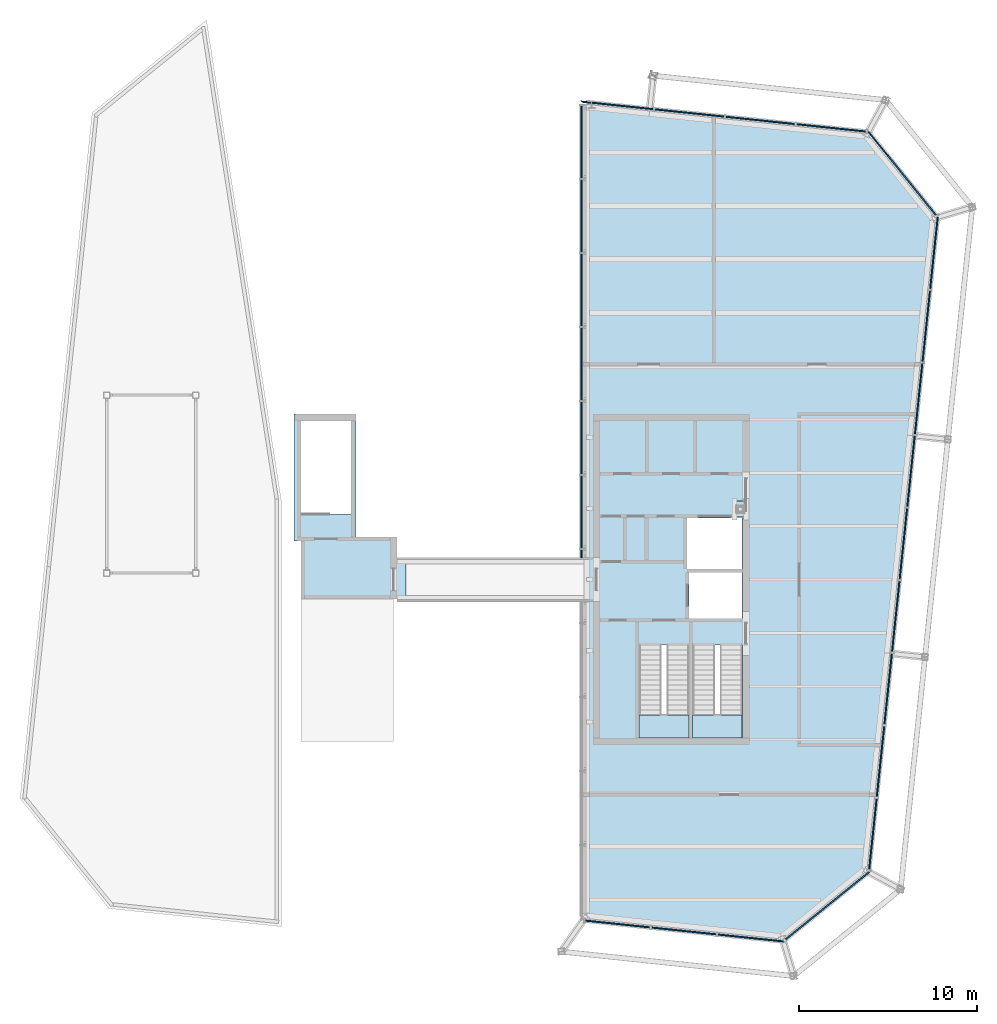
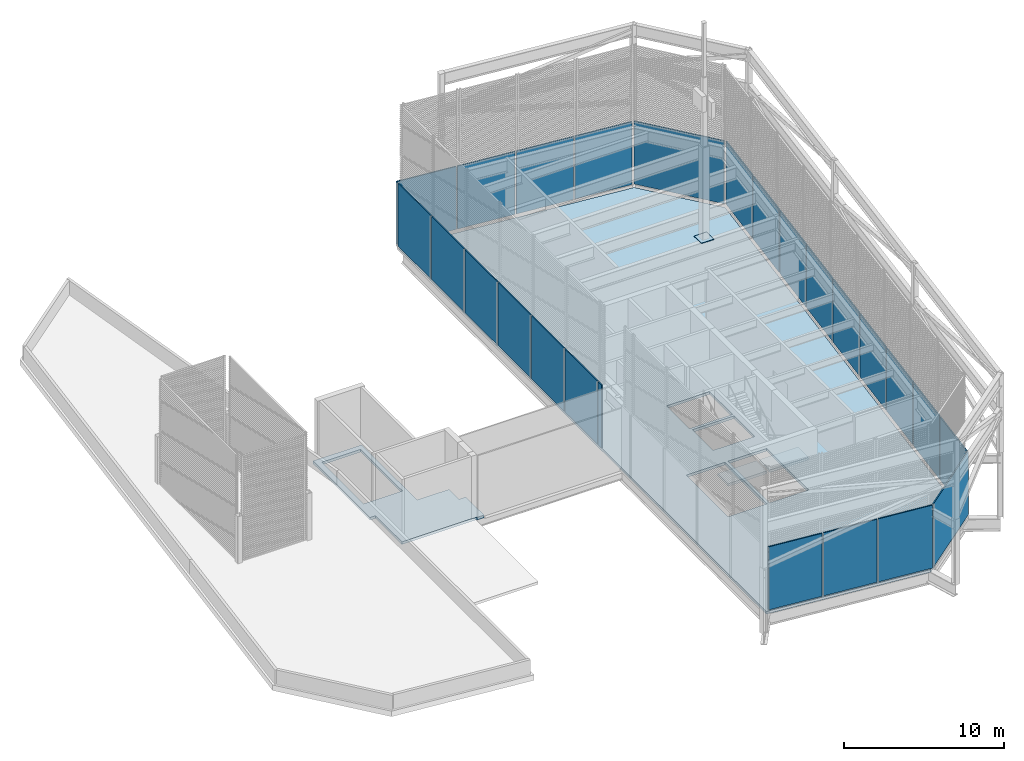
# One storey, part 8 of 11: 26 plates, 4 slabs, 8 elements without a shape of their own.
"""IFC4 building model written with IfcOpenShell, lengths in metres."""

from ifc_helpers import new_model, si_unit, direction, frame, origin, origin_2d, place, context, subcontext, project, spatial, polyline, rectangle, outline, extrude, material, layer, layer_set, type_object, element, aggregate, save


model = new_model("IFC4")

# Units and contexts
model_context = context("Model", 3, precision=1e-05, world=origin(), true_north=direction((0.0, 1.0)))
body_context = subcontext(model_context, "Body", "Model", "MODEL_VIEW")
ifc_project = project(units=[si_unit("LENGTHUNIT", "METRE"), si_unit("AREAUNIT", "SQUARE_METRE"), si_unit("VOLUMEUNIT", "CUBIC_METRE"), si_unit("PLANEANGLEUNIT", "RADIAN"), si_unit("MASSUNIT", "GRAM", prefix="KILO")], contexts=[model_context])

# Site, building, storey
site_placement = place(None, origin())
site = spatial("IfcSite", under=ifc_project, at=site_placement, CompositionType="ELEMENT")
building_placement = place(site_placement, origin())
building = spatial("IfcBuilding", under=site, at=building_placement, Name="Millrace Tower", CompositionType="ELEMENT")
storey_placement = place(building_placement, frame((0.0, 0.0, 357.10009765625)))
storey = spatial("IfcBuildingStorey", under=building, at=storey_placement, Name="L82", CompositionType="ELEMENT", Elevation=357.10009765625)

# Curtain wall, plates
ifc_material_1 = material(Name="Aluminium and glass", Category="aluminium")
ifc_layer_1 = layer(ifc_material_1, 0.25)
ifc_layer_set_1 = layer_set([ifc_layer_1], Name="Aluminium and glass")
curtain_wall_type = type_object("IfcCurtainWallType", Name="CW-7 crown louvred enclosure", PredefinedType="NOTDEFINED", material=ifc_layer_set_1)
placement_1 = place(storey_placement, origin())
curtain_wall_1 = element("IfcCurtainWall", 1, at=placement_1, inside=storey, type_object=curtain_wall_type, Name="Curtain wall CE-F01 L82", PredefinedType="NOTDEFINED")
ifc_material_2 = material(Name="Glass", Category="glass")
ifc_layer_2 = layer(ifc_material_2, 0.080078125)
ifc_layer_set_2 = layer_set([ifc_layer_2], Name="Glass")
plate_type_1 = type_object("IfcPlateType", Name="CW-7 crown louvred enclosure fixed louvre panel", PredefinedType="CURTAIN_PANEL", material=ifc_layer_set_2)
placement_2 = place(storey_placement, frame((0.0, 0.0, 0.199951171875)))
plate_1 = element("IfcPlate", 2, at=placement_2, type_object=plate_type_1, Name="CW7 panel CE-F01.1", PredefinedType="CURTAIN_PANEL", context=body_context, shape_type="SweptSolid", body=[
    extrude(outline(polyline([(4.8349609375, 26.620849609375), (4.8349609375, 22.561767578125), (4.9150390625, 22.561767578125), (4.9150390625, 26.620849609375), (4.8349609375, 26.620849609375)])), origin(), (0.0, 0.0, 1.0), 4.800048828125),
])
plate_2 = element("IfcPlate", 3, at=placement_2, type_object=plate_type_1, Name="CW7 panel CE-F01.2", PredefinedType="CURTAIN_PANEL", context=body_context, shape_type="SweptSolid", body=[
    extrude(outline(polyline([(4.8349609375, 22.461669921875), (4.8349609375, 18.402587890625), (4.9150390625, 18.402587890625), (4.9150390625, 22.461669921875), (4.8349609375, 22.461669921875)])), origin(), (0.0, 0.0, 1.0), 4.800048828125),
])
plate_3 = element("IfcPlate", 4, at=placement_2, type_object=plate_type_1, Name="CW7 panel CE-F01.3", PredefinedType="CURTAIN_PANEL", context=body_context, shape_type="SweptSolid", body=[
    extrude(outline(polyline([(4.8349609375, 18.302490234375), (4.8349609375, 14.243408203125), (4.9150390625, 14.243408203125), (4.9150390625, 18.302490234375), (4.8349609375, 18.302490234375)])), origin(), (0.0, 0.0, 1.0), 4.800048828125),
])
plate_4 = element("IfcPlate", 5, at=placement_2, type_object=plate_type_1, Name="CW7 panel CE-F01.4", PredefinedType="CURTAIN_PANEL", context=body_context, shape_type="SweptSolid", body=[
    extrude(outline(polyline([(4.8349609375, 14.143310546875), (4.8349609375, 10.084228515625), (4.9150390625, 10.084228515625), (4.9150390625, 14.143310546875), (4.8349609375, 14.143310546875)])), origin(), (0.0, 0.0, 1.0), 4.800048828125),
])
plate_5 = element("IfcPlate", 6, at=placement_2, type_object=plate_type_1, Name="CW7 panel CE-F01.5", PredefinedType="CURTAIN_PANEL", context=body_context, shape_type="SweptSolid", body=[
    extrude(outline(polyline([(4.8349609375, 9.984130859375), (4.8349609375, 5.925048828125), (4.9150390625, 5.925048828125), (4.9150390625, 9.984130859375), (4.8349609375, 9.984130859375)])), origin(), (0.0, 0.0, 1.0), 4.800048828125),
])
plate_6 = element("IfcPlate", 7, at=placement_2, type_object=plate_type_1, Name="CW7 panel CE-F01.6", PredefinedType="CURTAIN_PANEL", context=body_context, shape_type="SweptSolid", body=[
    extrude(outline(polyline([(4.8349609375, 5.824951171875), (4.8349609375, 1.765869140625), (4.9150390625, 1.765869140625), (4.9150390625, 5.824951171875), (4.8349609375, 5.824951171875)])), origin(), (0.0, 0.0, 1.0), 4.800048828125),
])

curtain_wall_2 = element("IfcCurtainWall", 8, at=placement_1, inside=storey, type_object=curtain_wall_type, Name="Curtain wall CE-F02 L82", PredefinedType="NOTDEFINED")
plate_7 = element("IfcPlate", 9, at=placement_2, type_object=plate_type_1, Name="CW7 panel CE-F02.1", PredefinedType="CURTAIN_PANEL", context=body_context, shape_type="SweptSolid", body=[
    extrude(outline(polyline([(5.082275390625, -19.204345703125), (8.706298828125, -19.585205078125), (8.71484375, -19.505615234375), (5.090576171875, -19.124755859375), (5.082275390625, -19.204345703125)])), origin(), (0.0, 0.0, 1.0), 4.800048828125),
])
plate_8 = element("IfcPlate", 10, at=placement_2, type_object=plate_type_1, Name="CW7 panel CE-F02.2", PredefinedType="CURTAIN_PANEL", context=body_context, shape_type="SweptSolid", body=[
    extrude(outline(polyline([(8.805908203125, -19.595703125), (12.429931640625, -19.9765625), (12.4384765625, -19.89697265625), (8.814208984375, -19.51611328125), (8.805908203125, -19.595703125)])), origin(), (0.0, 0.0, 1.0), 4.800048828125),
])
plate_9 = element("IfcPlate", 11, at=placement_2, type_object=plate_type_1, Name="CW7 panel CE-F02.3", PredefinedType="CURTAIN_PANEL", context=body_context, shape_type="SweptSolid", body=[
    extrude(outline(polyline([(12.529541015625, -19.987060546875), (16.2216796875, -20.375244140625), (16.197021484375, -20.292236328125), (12.537841796875, -19.907470703125), (12.529541015625, -19.987060546875)])), origin(), (0.0, 0.0, 1.0), 4.800048828125),
])
aggregate(curtain_wall_2, [plate_7, plate_8, plate_9])

# Curtain wall, plate
curtain_wall_3 = element("IfcCurtainWall", 12, at=placement_1, inside=storey, type_object=curtain_wall_type, Name="Curtain wall CE-F03 L82", PredefinedType="NOTDEFINED")
plate_10 = element("IfcPlate", 13, at=placement_2, type_object=plate_type_1, Name="CW7 panel CE-F03.1", PredefinedType="CURTAIN_PANEL", context=body_context, shape_type="SweptSolid", body=[
    extrude(outline(polyline([(16.3525390625, -20.269287109375), (21.0537109375, -16.462158203125), (20.977783203125, -16.4208984375), (16.302001953125, -20.20703125), (16.3525390625, -20.269287109375)])), origin(), (0.0, 0.0, 1.0), 4.800048828125),
])
aggregate(curtain_wall_3, [plate_10])

# Curtain wall, plates
curtain_wall_4 = element("IfcCurtainWall", 14, at=placement_1, inside=storey, type_object=curtain_wall_type, Name="Curtain wall CE-F04 L82", PredefinedType="NOTDEFINED")
plate_11 = element("IfcPlate", 15, at=placement_2, type_object=plate_type_1, Name="CW7 panel CE-F04.1", PredefinedType="CURTAIN_PANEL", context=body_context, shape_type="SweptSolid", body=[
    extrude(outline(polyline([(21.0712890625, -16.294677734375), (21.489501953125, -12.316650390625), (21.409912109375, -12.308349609375), (20.99169921875, -16.286376953125), (21.0712890625, -16.294677734375)])), origin(), (0.0, 0.0, 1.0), 4.800048828125),
])
plate_12 = element("IfcPlate", 16, at=placement_2, type_object=plate_type_1, Name="CW7 panel CE-F04.2", PredefinedType="CURTAIN_PANEL", context=body_context, shape_type="SweptSolid", body=[
    extrude(outline(polyline([(21.5, -12.21728515625), (21.91796875, -8.239013671875), (21.83837890625, -8.230712890625), (21.42041015625, -12.208740234375), (21.5, -12.21728515625)])), origin(), (0.0, 0.0, 1.0), 4.800048828125),
])
plate_13 = element("IfcPlate", 17, at=placement_2, type_object=plate_type_1, Name="CW7 panel CE-F04.3", PredefinedType="CURTAIN_PANEL", context=body_context, shape_type="SweptSolid", body=[
    extrude(outline(polyline([(21.928466796875, -8.1396484375), (22.3466796875, -4.16162109375), (22.26708984375, -4.1533203125), (21.848876953125, -8.13134765625), (21.928466796875, -8.1396484375)])), origin(), (0.0, 0.0, 1.0), 4.800048828125),
])
plate_14 = element("IfcPlate", 18, at=placement_2, type_object=plate_type_1, Name="CW7 panel CE-F04.4", PredefinedType="CURTAIN_PANEL", context=body_context, shape_type="SweptSolid", body=[
    extrude(outline(polyline([(22.357177734375, -4.06201171875), (22.775146484375, -0.083984375), (22.695556640625, -0.07568359375), (22.277587890625, -4.0537109375), (22.357177734375, -4.06201171875)])), origin(), (0.0, 0.0, 1.0), 4.800048828125),
])
plate_15 = element("IfcPlate", 19, at=placement_2, type_object=plate_type_1, Name="CW7 panel CE-F04.5", PredefinedType="CURTAIN_PANEL", context=body_context, shape_type="SweptSolid", body=[
    extrude(outline(polyline([(22.78564453125, 0.015380859375), (23.203857421875, 3.993408203125), (23.124267578125, 4.001953125), (22.7060546875, 0.023681640625), (22.78564453125, 0.015380859375)])), origin(), (0.0, 0.0, 1.0), 4.800048828125),
])
plate_16 = element("IfcPlate", 20, at=placement_2, type_object=plate_type_1, Name="CW7 panel CE-F04.6", PredefinedType="CURTAIN_PANEL", context=body_context, shape_type="SweptSolid", body=[
    extrude(outline(polyline([(23.214111328125, 4.093017578125), (23.63232421875, 8.071044921875), (23.552734375, 8.079345703125), (23.134521484375, 4.101318359375), (23.214111328125, 4.093017578125)])), origin(), (0.0, 0.0, 1.0), 4.800048828125),
])
plate_17 = element("IfcPlate", 21, at=placement_2, type_object=plate_type_1, Name="CW7 panel CE-F04.7", PredefinedType="CURTAIN_PANEL", context=body_context, shape_type="SweptSolid", body=[
    extrude(outline(polyline([(23.642822265625, 8.17041015625), (24.060791015625, 12.148681640625), (23.9814453125, 12.156982421875), (23.563232421875, 8.178955078125), (23.642822265625, 8.17041015625)])), origin(), (0.0, 0.0, 1.0), 4.800048828125),
])
plate_18 = element("IfcPlate", 22, at=placement_2, type_object=plate_type_1, Name="CW7 panel CE-F04.8", PredefinedType="CURTAIN_PANEL", context=body_context, shape_type="SweptSolid", body=[
    extrude(outline(polyline([(24.0712890625, 12.248046875), (24.489501953125, 16.22607421875), (24.409912109375, 16.234375), (23.99169921875, 12.25634765625), (24.0712890625, 12.248046875)])), origin(), (0.0, 0.0, 1.0), 4.800048828125),
])
plate_19 = element("IfcPlate", 23, at=placement_2, type_object=plate_type_1, Name="CW7 panel CE-F04.9", PredefinedType="CURTAIN_PANEL", context=body_context, shape_type="SweptSolid", body=[
    extrude(outline(polyline([(24.5, 16.32568359375), (24.925048828125, 20.37158203125), (24.842041015625, 20.346923828125), (24.42041015625, 16.333984375), (24.5, 16.32568359375)])), origin(), (0.0, 0.0, 1.0), 4.800048828125),
])
aggregate(curtain_wall_4, [plate_11, plate_12, plate_13, plate_14, plate_15, plate_16, plate_17, plate_18, plate_19])

# Curtain wall, plate
curtain_wall_5 = element("IfcCurtainWall", 24, at=placement_1, inside=storey, type_object=curtain_wall_type, Name="Curtain wall CE-F05 L82", PredefinedType="NOTDEFINED")
plate_20 = element("IfcPlate", 25, at=placement_2, type_object=plate_type_1, Name="CW7 panel CE-F05.1", PredefinedType="CURTAIN_PANEL", context=body_context, shape_type="SweptSolid", body=[
    extrude(outline(polyline([(24.8193359375, 20.50244140625), (21.01220703125, 25.203857421875), (20.970947265625, 25.127685546875), (24.757080078125, 20.4521484375), (24.8193359375, 20.50244140625)])), origin(), (0.0, 0.0, 1.0), 4.800048828125),
])
aggregate(curtain_wall_5, [plate_20])

# Curtain wall, plates
curtain_wall_6 = element("IfcCurtainWall", 26, at=placement_1, inside=storey, type_object=curtain_wall_type, Name="Curtain wall CE-F06 L82", PredefinedType="NOTDEFINED")
plate_21 = element("IfcPlate", 27, at=placement_2, type_object=plate_type_1, Name="CW7 panel CE-F06.1", PredefinedType="CURTAIN_PANEL", context=body_context, shape_type="SweptSolid", body=[
    extrude(outline(polyline([(20.8447265625, 25.221435546875), (16.96240234375, 25.62939453125), (16.9541015625, 25.5498046875), (20.83642578125, 25.141845703125), (20.8447265625, 25.221435546875)])), origin(), (0.0, 0.0, 1.0), 4.800048828125),
])
plate_22 = element("IfcPlate", 28, at=placement_2, type_object=plate_type_1, Name="CW7 panel CE-F06.2", PredefinedType="CURTAIN_PANEL", context=body_context, shape_type="SweptSolid", body=[
    extrude(outline(polyline([(16.863037109375, 25.639892578125), (12.980712890625, 26.0478515625), (12.972412109375, 25.96826171875), (16.854736328125, 25.560302734375), (16.863037109375, 25.639892578125)])), origin(), (0.0, 0.0, 1.0), 4.800048828125),
])
plate_23 = element("IfcPlate", 29, at=placement_2, type_object=plate_type_1, Name="CW7 panel CE-F06.3", PredefinedType="CURTAIN_PANEL", context=body_context, shape_type="SweptSolid", body=[
    extrude(outline(polyline([(12.88134765625, 26.058349609375), (8.9990234375, 26.46630859375), (8.99072265625, 26.386962890625), (12.872802734375, 25.978759765625), (12.88134765625, 26.058349609375)])), origin(), (0.0, 0.0, 1.0), 4.800048828125),
])
plate_24 = element("IfcPlate", 30, at=placement_2, type_object=plate_type_1, Name="CW7 panel CE-F06.4", PredefinedType="CURTAIN_PANEL", context=body_context, shape_type="SweptSolid", body=[
    extrude(outline(polyline([(8.8994140625, 26.476806640625), (4.8349609375, 26.904052734375), (4.9150390625, 26.815185546875), (8.89111328125, 26.397216796875), (8.8994140625, 26.476806640625)])), origin(), (0.0, 0.0, 1.0), 4.800048828125),
])
aggregate(curtain_wall_6, [plate_21, plate_22, plate_23, plate_24])

# Plate
plate_25 = element("IfcPlate", 31, at=placement_2, type_object=plate_type_1, Name="CW7 panel CE-F01.7", PredefinedType="CURTAIN_PANEL", context=body_context, shape_type="SweptSolid", body=[
    extrude(outline(polyline([(4.8349609375, 1.666015625), (4.8349609375, 1.239990234375), (4.9150390625, 1.239990234375), (4.9150390625, 1.666015625), (4.8349609375, 1.666015625)])), origin(), (0.0, 0.0, 1.0), 4.800048828125),
])

aggregate(curtain_wall_1, [plate_1, plate_2, plate_3, plate_4, plate_5, plate_6, plate_25])

# Slabs
ifc_material_3 = material(Name="Concrete C35 on steel deck", Category="concrete")
ifc_layer_3 = layer(ifc_material_3, 0.199951171875)
ifc_layer_set_3 = layer_set([ifc_layer_3], Name="Concrete C35 on steel deck")
slab_type_1 = type_object("IfcSlabType", Name="Composite floor slab 200 mm", PredefinedType="FLOOR", material=ifc_layer_set_3)
placement_3 = place(storey_placement, frame((0.0, 0.0, -0.2001953125)))
element("IfcSlab", 32, at=placement_3, inside=storey, type_object=slab_type_1, Name="SL-CROWN-L82-SE", PredefinedType="FLOOR", context=body_context, shape_type="SweptSolid", body=[
    extrude(outline(polyline([(5.0, 26.720703125), (5.0, -19.02978515625), (16.1708984375, -20.203857421875), (20.896728515625, -16.376953125), (24.75390625, 20.32080078125), (20.927001953125, 25.046875), (5.0, 26.720703125)]), holes=[polyline([(10.800048828125, 0.60009765625), (13.89990234375, 0.60009765625), (13.89990234375, 3.449951171875), (10.800048828125, 3.449951171875), (10.800048828125, 0.60009765625)]), polyline([(10.89990234375, -2.179931640625), (13.89990234375, -2.179931640625), (13.89990234375, 0.39990234375), (10.89990234375, 0.39990234375), (10.89990234375, -2.179931640625)]), polyline([(11.10009765625, -8.89990234375), (13.89990234375, -8.89990234375), (13.89990234375, -3.679931640625), (11.10009765625, -3.679931640625), (11.10009765625, -8.89990234375)]), polyline([(8.10009765625, -8.89990234375), (10.89990234375, -8.89990234375), (10.89990234375, -3.679931640625), (8.10009765625, -3.679931640625), (8.10009765625, -8.89990234375)])]), origin(), (0.0, 0.0, 1.0), 0.2001953125),
])
ifc_material_4 = material(Name="Concrete C40", Category="concrete")
ifc_layer_4 = layer(ifc_material_4, 0.199951171875)
ifc_layer_set_4 = layer_set([ifc_layer_4], Name="Concrete C40")
slab_type_2 = type_object("IfcSlabType", Name="Head house floor slab 200 mm", PredefinedType="FLOOR", material=ifc_layer_set_4)
element("IfcSlab", 33, at=placement_3, inside=storey, type_object=slab_type_2, Name="SL-HH-W-L82", PredefinedType="FLOOR", context=body_context, shape_type="SweptSolid", body=[
    extrude(outline(polyline([(-5.5, 1.139892578125), (-5.5, 2.3798828125), (-7.800048828125, 2.3798828125), (-7.800048828125, 9.300048828125), (-11.300048828125, 9.300048828125), (-11.300048828125, 2.179931640625), (-10.89990234375, 2.179931640625), (-10.89990234375, -1.10009765625), (-5.5, -1.10009765625), (-5.5, -1.139892578125), (-5.0, -1.139892578125), (-5.0, 1.139892578125), (-5.5, 1.139892578125)]), holes=[polyline([(-10.89990234375, 3.679931640625), (-8.10009765625, 3.679931640625), (-8.10009765625, 8.89990234375), (-10.89990234375, 8.89990234375), (-10.89990234375, 3.679931640625)])]), origin(), (0.0, 0.0, 1.0), 0.2001953125),
])

# Plate
ifc_material_5 = material(Name="Steel ASTM A36", Category="steel")
ifc_layer_5 = layer(ifc_material_5, 0.050048828125)
ifc_layer_set_5 = layer_set([ifc_layer_5], Name="Steel ASTM A36")
plate_type_2 = type_object("IfcPlateType", Name="SPIRE mast base plate", PredefinedType="USERDEFINED", material=ifc_layer_set_5)
plate_26_placement = place(storey_placement, frame((13.793212890625, 3.962158203125, 11.419921875), z_axis=(0.0, 0.0, 1.0), x_axis=(1.0, 0.0, 0.0)))
element("IfcPlate", 34, at=plate_26_placement, inside=storey, type_object=plate_type_2, Name="SPIRE mast base plate", ObjectType="BASE PLATE", PredefinedType="USERDEFINED", context=body_context, shape_type="SweptSolid", body=[
    extrude(rectangle(XDim=0.89990234375, YDim=0.89990234375, at=origin_2d()), origin(), (0.0, 0.0, 1.0), 0.050048828125),
])

# Stair, slab
ifc_material_6 = material(Name="Concrete C35", Category="concrete")
stair_type = type_object("IfcStairType", Name="Exit stair", PredefinedType="HALF_TURN_STAIR", material=ifc_material_6)
stair_1 = element("IfcStair", 35, at=placement_1, inside=storey, type_object=stair_type, Name="Stair 1 E L82", PredefinedType="HALF_TURN_STAIR")
ifc_material_7 = material(Name="Concrete C40", Category="concrete")
ifc_layer_6 = layer(ifc_material_7, 0.199951171875)
ifc_layer_set_6 = layer_set([ifc_layer_6], Name="Concrete C40")
slab_type_3 = type_object("IfcSlabType", Name="Stair landing", PredefinedType="LANDING", material=ifc_layer_set_6)
placement_4 = place(storey_placement, frame((0.0, 0.0, 2.2998046875)))
slab_3 = element("IfcSlab", 36, at=placement_4, type_object=slab_type_3, Name="ST12 landing 1", PredefinedType="LANDING", context=body_context, shape_type="SweptSolid", body=[
    extrude(outline(polyline([(11.10009765625, -8.89990234375), (13.89990234375, -8.89990234375), (13.89990234375, -7.60009765625), (11.10009765625, -7.60009765625), (11.10009765625, -8.89990234375)])), origin(), (0.0, 0.0, 1.0), 0.2001953125),
])
aggregate(stair_1, [slab_3])

stair_2 = element("IfcStair", 37, at=placement_1, inside=storey, type_object=stair_type, Name="Stair 2 E L82", PredefinedType="HALF_TURN_STAIR")
slab_4 = element("IfcSlab", 38, at=placement_4, type_object=slab_type_3, Name="ST12 landing 1", PredefinedType="LANDING", context=body_context, shape_type="SweptSolid", body=[
    extrude(outline(polyline([(8.10009765625, -8.89990234375), (10.89990234375, -8.89990234375), (10.89990234375, -7.60009765625), (8.10009765625, -7.60009765625), (8.10009765625, -8.89990234375)])), origin(), (0.0, 0.0, 1.0), 0.2001953125),
])
aggregate(stair_2, [slab_4])

save(model, "model.ifc")
